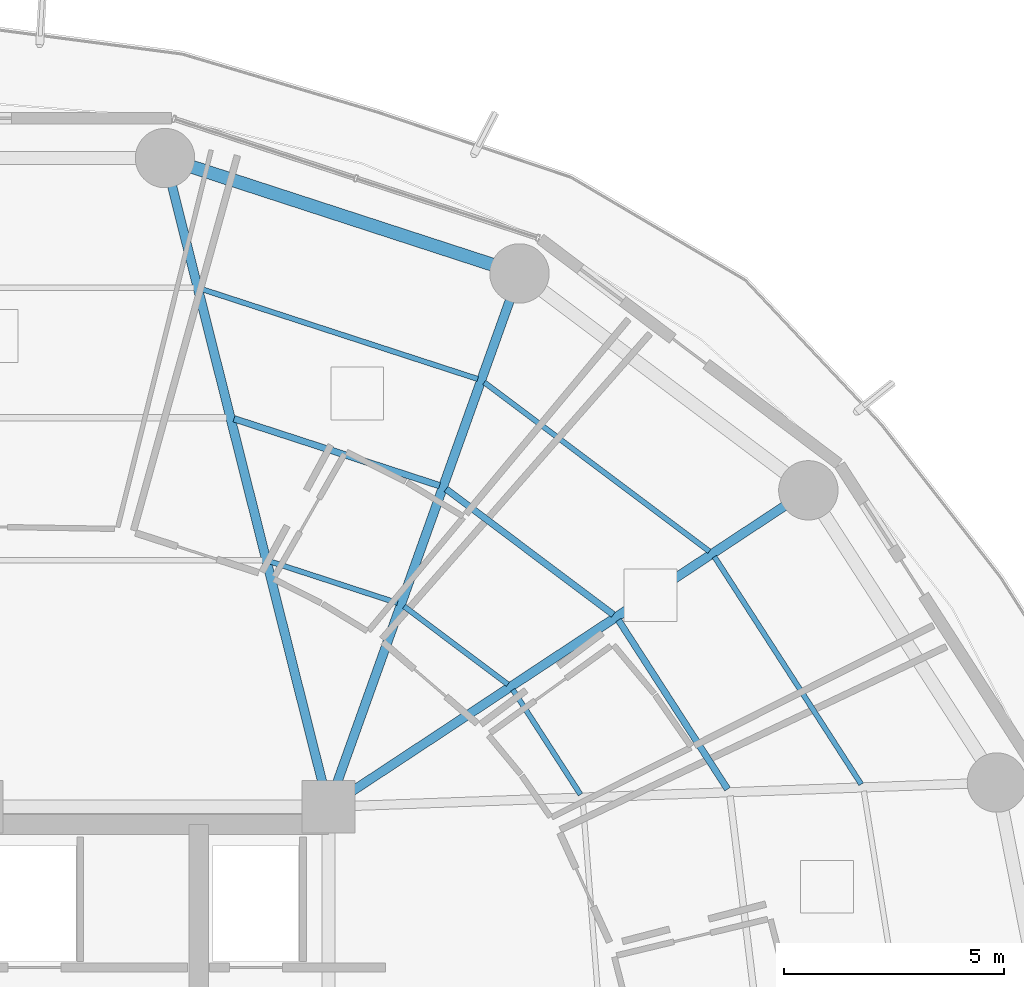
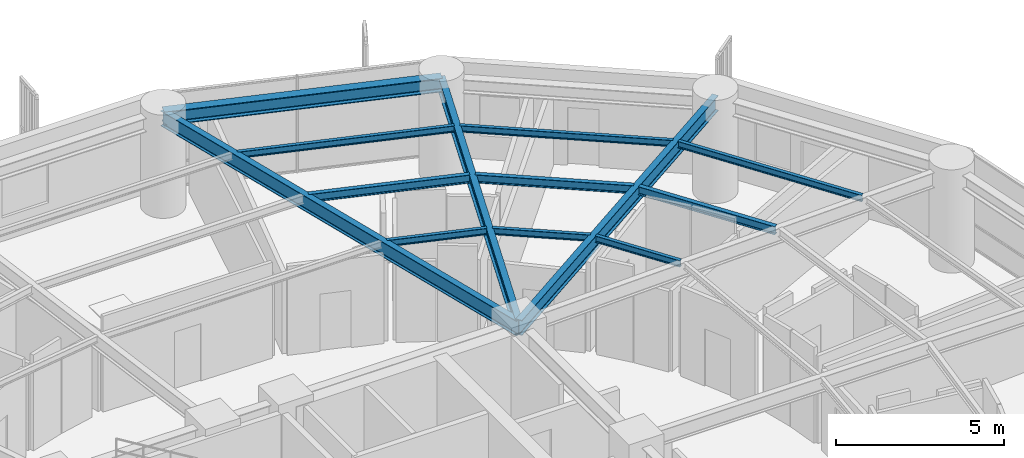
# One storey, part 24 of 38: 13 beams.
"""IFC4 building model written with IfcOpenShell, lengths in metres."""

from ifc_helpers import new_model, si_unit, direction, frame, origin, origin_2d, place, context, subcontext, project, spatial, i_section, extrude, material, material_profile, profile_set, type_object, element, save


model = new_model("IFC4")

# Units and contexts
model_context = context("Model", 3, precision=1e-05, world=origin(), true_north=direction((0.0, 1.0)))
body_context = subcontext(model_context, "Body", "Model", "MODEL_VIEW")
ifc_project = project(units=[si_unit("LENGTHUNIT", "METRE"), si_unit("AREAUNIT", "SQUARE_METRE"), si_unit("VOLUMEUNIT", "CUBIC_METRE"), si_unit("PLANEANGLEUNIT", "RADIAN"), si_unit("MASSUNIT", "GRAM", prefix="KILO")], contexts=[model_context])

# Site, building, storey
site_placement = place(None, origin())
site = spatial("IfcSite", under=ifc_project, at=site_placement, CompositionType="ELEMENT")
building_placement = place(site_placement, origin())
building = spatial("IfcBuilding", under=site, at=building_placement, Name="Kelanora Arch Commons", CompositionType="ELEMENT")
storey_placement = place(building_placement, frame((0.0, 0.0, 106.35009765625)))
storey = spatial("IfcBuildingStorey", under=building, at=storey_placement, Name="L27", CompositionType="ELEMENT", Elevation=106.35009765625)

# Beams
ifc_material = material(Name="Steel S355", Category="steel")
ifc_material_profile_1 = material_profile(ifc_material, i_section(OverallWidth=0.14990234375, OverallDepth=0.300048828125, WebThickness=0.007080078125, FlangeThickness=0.0107421875, FilletRadius=0.014892578125, at=origin_2d()), Name="IPE300")
ifc_profile_set_1 = profile_set([ifc_material_profile_1], Name="Steel S355")
beam_type_1 = type_object("IfcBeamType", Name="BM-JST-01", PredefinedType="JOIST", material=ifc_profile_set_1)
beam_1_placement = place(storey_placement, frame((91.06884765625, 65.402587890625, 3.33984375), z_axis=(-0.542230243286, 0.840229946661, 0.0), x_axis=(-0.840229946661, -0.542230243286, 0.0)))
element("IfcBeam", 1, at=beam_1_placement, inside=storey, type_object=beam_type_1, Name="Secondary Chord Joist BJB-02 L27", PredefinedType="JOIST", context=body_context, shape_type="SweptSolid", body=[
    extrude(i_section(OverallWidth=0.14990234375, OverallDepth=0.300048828125, WebThickness=0.007080078125, FlangeThickness=0.0107421875, FilletRadius=0.014892578125, at=origin_2d()), origin(), (0.0, 0.0, 1.0), 4.572265625),
])
beam_2_placement = place(storey_placement, frame((88.4755859375, 69.36669921875, 3.33984375), z_axis=(-0.79971039107, 0.600385951214, 0.0), x_axis=(-0.600385951214, -0.79971039107, 0.0)))
element("IfcBeam", 2, at=beam_2_placement, inside=storey, type_object=beam_type_1, Name="Secondary Chord Joist BJB-04 L27", PredefinedType="JOIST", context=body_context, shape_type="SweptSolid", body=[
    extrude(i_section(OverallWidth=0.14990234375, OverallDepth=0.300048828125, WebThickness=0.007080078125, FlangeThickness=0.0107421875, FilletRadius=0.014892578125, at=origin_2d()), origin(), (0.0, 0.0, 1.0), 4.756103515625),
])
beam_3_placement = place(storey_placement, frame((84.523193359375, 72.29931640625, 3.33984375), z_axis=(-0.950857140254, 0.309629938521, 0.0), x_axis=(-0.309629938521, -0.950857140254, 0.0)))
element("IfcBeam", 3, at=beam_3_placement, inside=storey, type_object=beam_type_1, Name="Secondary Chord Joist BJB-06 L27", PredefinedType="JOIST", context=body_context, shape_type="SweptSolid", body=[
    extrude(i_section(OverallWidth=0.14990234375, OverallDepth=0.300048828125, WebThickness=0.007080078125, FlangeThickness=0.0107421875, FilletRadius=0.014892578125, at=origin_2d()), origin(), (0.0, 0.0, 1.0), 4.912353515625),
])
ifc_material_profile_2 = material_profile(ifc_material, i_section(OverallWidth=0.1201171875, OverallDepth=0.239990234375, WebThickness=0.006103515625, FlangeThickness=0.009765625, FilletRadius=0.014892578125, at=origin_2d()), Name="IPE240")
ifc_profile_set_2 = profile_set([ifc_material_profile_2], Name="Steel S355")
beam_type_2 = type_object("IfcBeamType", Name="BM-JST-02", PredefinedType="JOIST", material=ifc_profile_set_2)
beam_4_placement = place(storey_placement, frame((87.726806640625, 65.281005859375, 3.369873046875), z_axis=(-0.542211255502, 0.840242199849, 0.0), x_axis=(-0.840242199849, -0.542211255502, 0.0)))
element("IfcBeam", 4, at=beam_4_placement, inside=storey, type_object=beam_type_2, Name="Secondary Chord Joist BJA-02 L27", PredefinedType="JOIST", context=body_context, shape_type="SweptSolid", body=[
    extrude(i_section(OverallWidth=0.1201171875, OverallDepth=0.239990234375, WebThickness=0.006103515625, FlangeThickness=0.009765625, FilletRadius=0.014892578125, at=origin_2d()), origin(), (0.0, 0.0, 1.0), 2.83349609375),
])
beam_5_placement = place(storey_placement, frame((94.107177734375, 65.512939453125, 3.369873046875), z_axis=(-0.542212726273, 0.840241250754, 0.0), x_axis=(-0.840241250754, -0.542212726273, 0.0)))
element("IfcBeam", 5, at=beam_5_placement, inside=storey, type_object=beam_type_2, Name="Secondary Chord Joist BJC-02 L27", PredefinedType="JOIST", context=body_context, shape_type="SweptSolid", body=[
    extrude(i_section(OverallWidth=0.1201171875, OverallDepth=0.239990234375, WebThickness=0.006103515625, FlangeThickness=0.009765625, FilletRadius=0.014892578125, at=origin_2d()), origin(), (0.0, 0.0, 1.0), 6.15283203125),
])
beam_6_placement = place(storey_placement, frame((86.076416015625, 67.7841796875, 3.369873046875), z_axis=(-0.799692034361, 0.600410401458, 0.0), x_axis=(-0.600410401458, -0.799692034361, 0.0)))
element("IfcBeam", 6, at=beam_6_placement, inside=storey, type_object=beam_type_2, Name="Secondary Chord Joist BJA-04 L27", PredefinedType="JOIST", context=body_context, shape_type="SweptSolid", body=[
    extrude(i_section(OverallWidth=0.1201171875, OverallDepth=0.239990234375, WebThickness=0.006103515625, FlangeThickness=0.009765625, FilletRadius=0.014892578125, at=origin_2d()), origin(), (0.0, 0.0, 1.0), 2.949951171875),
])
beam_7_placement = place(storey_placement, frame((90.65673828125, 70.805419921875, 3.369873046875), z_axis=(-0.799734335646, 0.600354055861, 0.0), x_axis=(-0.600354055861, -0.799734335646, 0.0)))
element("IfcBeam", 7, at=beam_7_placement, inside=storey, type_object=beam_type_2, Name="Secondary Chord Joist BJC-04 L27", PredefinedType="JOIST", context=body_context, shape_type="SweptSolid", body=[
    extrude(i_section(OverallWidth=0.1201171875, OverallDepth=0.239990234375, WebThickness=0.006103515625, FlangeThickness=0.009765625, FilletRadius=0.014892578125, at=origin_2d()), origin(), (0.0, 0.0, 1.0), 6.39794921875),
])
beam_8_placement = place(storey_placement, frame((83.568359375, 69.632568359375, 3.369873046875), z_axis=(-0.950846758946, 0.309661817151, 0.0), x_axis=(-0.309661817151, -0.950846758946, 0.0)))
element("IfcBeam", 8, at=beam_8_placement, inside=storey, type_object=beam_type_2, Name="Secondary Chord Joist BJA-06 L27", PredefinedType="JOIST", context=body_context, shape_type="SweptSolid", body=[
    extrude(i_section(OverallWidth=0.1201171875, OverallDepth=0.239990234375, WebThickness=0.006103515625, FlangeThickness=0.009765625, FilletRadius=0.014892578125, at=origin_2d()), origin(), (0.0, 0.0, 1.0), 3.048828125),
])
beam_9_placement = place(storey_placement, frame((85.39111328125, 74.723876953125, 3.369873046875), z_axis=(-0.950862829272, 0.309612467301, 0.0), x_axis=(-0.309612467301, -0.950862829272, 0.0)))
element("IfcBeam", 9, at=beam_9_placement, inside=storey, type_object=beam_type_2, Name="Secondary Chord Joist BJC-06 L27", PredefinedType="JOIST", context=body_context, shape_type="SweptSolid", body=[
    extrude(i_section(OverallWidth=0.1201171875, OverallDepth=0.239990234375, WebThickness=0.006103515625, FlangeThickness=0.009765625, FilletRadius=0.014892578125, at=origin_2d()), origin(), (0.0, 0.0, 1.0), 6.6064453125),
])
ifc_material_profile_3 = material_profile(ifc_material, i_section(OverallWidth=0.2099609375, OverallDepth=0.550048828125, WebThickness=0.010986328125, FlangeThickness=0.01708984375, FilletRadius=0.02392578125, at=origin_2d()), Name="IPE550")
ifc_profile_set_3 = profile_set([ifc_material_profile_3], Name="Steel S355")
beam_type_3 = type_object("IfcBeamType", Name="BM-RAD-Z2", PredefinedType="BEAM", material=ifc_profile_set_3)
beam_10_placement = place(storey_placement, frame((82.0, 65.0, 3.21484375), z_axis=(0.834788577908, 0.550570640512, 0.0), x_axis=(-0.550570640512, 0.834788577908, 0.0)))
element("IfcBeam", 10, at=beam_10_placement, inside=storey, type_object=beam_type_3, Name="Radial Floor Girder BR-04 L27", PredefinedType="BEAM", context=body_context, shape_type="SweptSolid", body=[
    extrude(i_section(OverallWidth=0.2099609375, OverallDepth=0.550048828125, WebThickness=0.010986328125, FlangeThickness=0.01708984375, FilletRadius=0.02392578125, at=origin_2d()), origin(), (0.0, 0.0, 1.0), 13.064453125),
])
beam_11_placement = place(storey_placement, frame((82.0, 65.0, 3.21484375), z_axis=(0.337084640008, 0.941474346687, 0.0), x_axis=(-0.941474346687, 0.337084640008, 0.0)))
element("IfcBeam", 11, at=beam_11_placement, inside=storey, type_object=beam_type_3, Name="Radial Floor Girder BR-06 L27", PredefinedType="BEAM", context=body_context, shape_type="SweptSolid", body=[
    extrude(i_section(OverallWidth=0.2099609375, OverallDepth=0.550048828125, WebThickness=0.010986328125, FlangeThickness=0.01708984375, FilletRadius=0.02392578125, at=origin_2d()), origin(), (0.0, 0.0, 1.0), 12.875244140625),
])
beam_12_placement = place(storey_placement, frame((82.0, 65.0, 3.21484375), z_axis=(-0.244280647475, 0.969704576286, 0.0), x_axis=(-0.969704576286, -0.244280647475, 0.0)))
element("IfcBeam", 12, at=beam_12_placement, inside=storey, type_object=beam_type_3, Name="Radial Floor Girder BR-08 L27", PredefinedType="BEAM", context=body_context, shape_type="SweptSolid", body=[
    extrude(i_section(OverallWidth=0.2099609375, OverallDepth=0.550048828125, WebThickness=0.010986328125, FlangeThickness=0.01708984375, FilletRadius=0.02392578125, at=origin_2d()), origin(), (0.0, 0.0, 1.0), 15.205322265625),
])
ifc_material_profile_4 = material_profile(ifc_material, i_section(OverallWidth=0.300048828125, OverallDepth=0.5, WebThickness=0.014404296875, FlangeThickness=0.028076171875, FilletRadius=0.027099609375, at=origin_2d()), Name="HEB500")
ifc_profile_set_4 = profile_set([ifc_material_profile_4], Name="Steel S355")
beam_type_4 = type_object("IfcBeamType", Name="BM-SPN-Z2", PredefinedType="SPANDREL", material=ifc_profile_set_4)
beam_13_placement = place(storey_placement, frame((86.340087890625, 77.121826171875, 3.239990234375), z_axis=(-0.950856631974, 0.309631499418, 0.0), x_axis=(-0.309631499418, -0.950856631974, 0.0)))
element("IfcBeam", 13, at=beam_13_placement, inside=storey, type_object=beam_type_4, Name="Perimeter Spandrel Beam BS-06 L27", PredefinedType="SPANDREL", context=body_context, shape_type="SweptSolid", body=[
    extrude(i_section(OverallWidth=0.300048828125, OverallDepth=0.5, WebThickness=0.014404296875, FlangeThickness=0.028076171875, FilletRadius=0.027099609375, at=origin_2d()), origin(), (0.0, 0.0, 1.0), 8.470703125),
])

save(model, "model.ifc")
